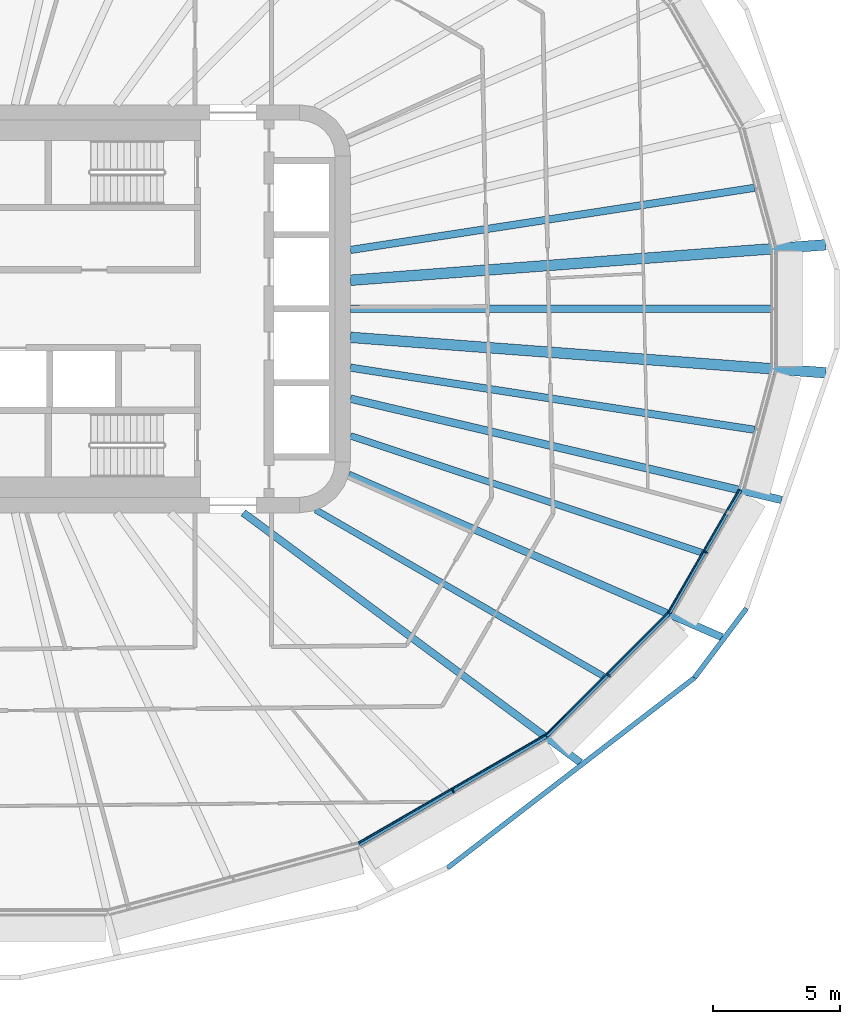
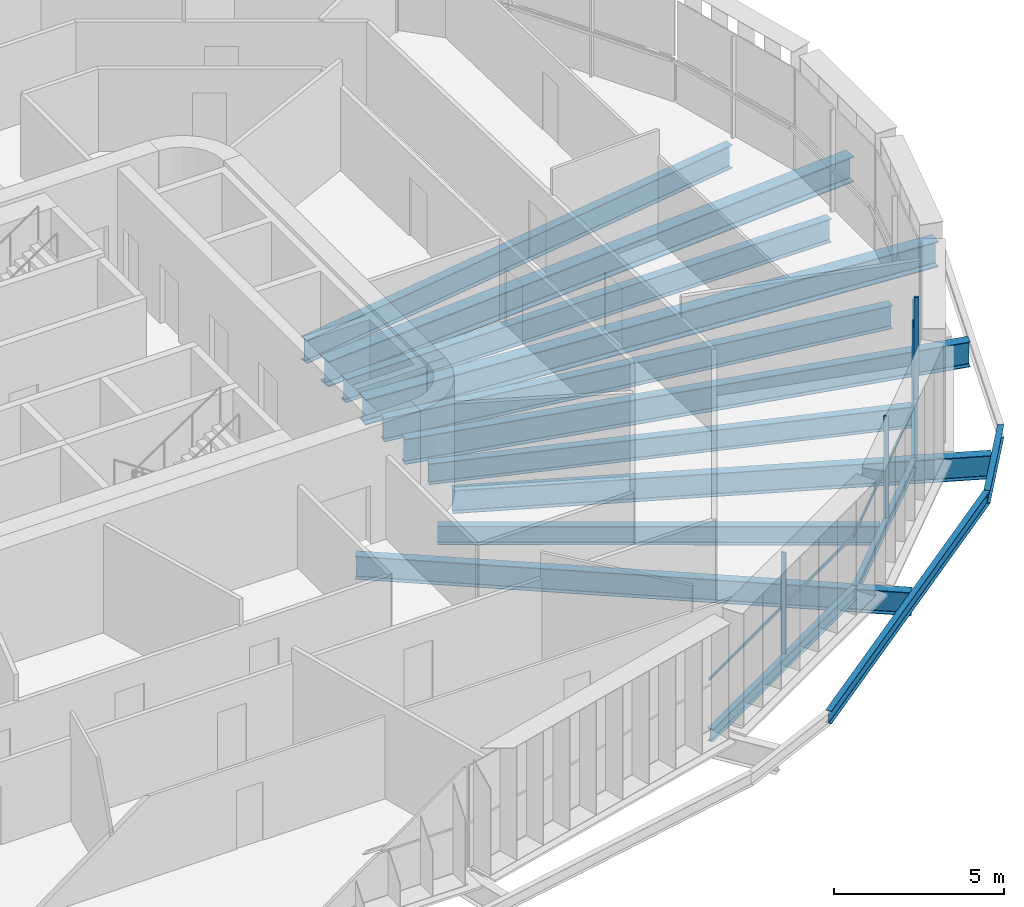
# One storey, part 5 of 26: 15 beams, 6 members, 3 elements without a shape of their own.
"""IFC4 building model written with IfcOpenShell, lengths in metres."""

from ifc_helpers import new_model, si_unit, direction, frame, origin, origin_2d, place, context, subcontext, project, spatial, rectangle, i_section, extrude, material, layer, layer_set, material_profile, profile_set, type_object, element, aggregate, save


model = new_model("IFC4")

# Units and contexts
model_context = context("Model", 3, precision=1e-05, world=origin(), true_north=direction((0.0, 1.0)))
body_context = subcontext(model_context, "Body", "Model", "MODEL_VIEW")
ifc_project = project(units=[si_unit("LENGTHUNIT", "METRE"), si_unit("AREAUNIT", "SQUARE_METRE"), si_unit("VOLUMEUNIT", "CUBIC_METRE"), si_unit("PLANEANGLEUNIT", "RADIAN"), si_unit("MASSUNIT", "GRAM", prefix="KILO")], contexts=[model_context])

# Site, building, storey
site_placement = place(None, origin())
site = spatial("IfcSite", under=ifc_project, at=site_placement, CompositionType="ELEMENT")
building_placement = place(site_placement, origin())
building = spatial("IfcBuilding", under=site, at=building_placement, Name="Sahrelin Media Tower", CompositionType="ELEMENT")
storey_placement = place(building_placement, frame((0.0, 0.0, 84.0)))
storey = spatial("IfcBuildingStorey", under=building, at=storey_placement, Name="L15", CompositionType="ELEMENT", Elevation=84.0)

# Beams
ifc_material_1 = material(Name="Steel S355", Category="steel")
ifc_material_profile_1 = material_profile(ifc_material_1, i_section(OverallWidth=0.1650390625, OverallDepth=0.303466796875, WebThickness=0.006103515625, FlangeThickness=0.01025390625, FilletRadius=0.0087890625, at=origin_2d()), Name="UB 305x165x40")
ifc_profile_set_1 = profile_set([ifc_material_profile_1], Name="Steel S355")
beam_type_1 = type_object("IfcBeamType", Name="Edge beam EB2", PredefinedType="BEAM", material=ifc_profile_set_1)
beam_1_placement = place(storey_placement, frame((30.282958984375, -7.103271484375, -0.3017578125), z_axis=(-0.499998387408, -0.866026334813, 0.0), x_axis=(0.866026334813, -0.499998387408, 0.0)))
element("IfcBeam", 1, at=beam_1_placement, inside=storey, type_object=beam_type_1, Name="Edge beam L15-03", PredefinedType="BEAM", context=body_context, shape_type="SweptSolid", body=[
    extrude(i_section(OverallWidth=0.1650390625, OverallDepth=0.303466796875, WebThickness=0.006103515625, FlangeThickness=0.01025390625, FilletRadius=0.0087890625, at=origin_2d()), origin(), (0.0, 0.0, 1.0), 5.5654296875),
])
ifc_material_profile_2 = material_profile(ifc_material_1, i_section(OverallWidth=0.17138671875, OverallDepth=0.35498046875, WebThickness=0.00732421875, FlangeThickness=0.011474609375, FilletRadius=0.01025390625, at=origin_2d()), Name="UB 356x171x51")
ifc_profile_set_2 = profile_set([ifc_material_profile_2], Name="Steel S355")
beam_type_2 = type_object("IfcBeamType", Name="Edge beam EB3", PredefinedType="BEAM", material=ifc_profile_set_2)
beam_2_placement = place(storey_placement, frame((27.482666015625, -11.946044921875, -0.327392578125), z_axis=(-0.707106781187, -0.707106781187, 0.0), x_axis=(0.707106781187, -0.707106781187, 0.0)))
element("IfcBeam", 2, at=beam_2_placement, inside=storey, type_object=beam_type_2, Name="Edge beam L15-04", PredefinedType="BEAM", context=body_context, shape_type="SweptSolid", body=[
    extrude(i_section(OverallWidth=0.17138671875, OverallDepth=0.35498046875, WebThickness=0.00732421875, FlangeThickness=0.011474609375, FilletRadius=0.01025390625, at=origin_2d()), origin(), (0.0, 0.0, 1.0), 6.7783203125),
])
ifc_material_profile_3 = material_profile(ifc_material_1, i_section(OverallWidth=0.1904296875, OverallDepth=0.45703125, WebThickness=0.009033203125, FlangeThickness=0.014404296875, FilletRadius=0.01025390625, at=origin_2d()), Name="UB 457x191x74")
ifc_profile_set_3 = profile_set([ifc_material_profile_3], Name="Steel S355")
beam_type_3 = type_object("IfcBeamType", Name="Edge beam EB5", PredefinedType="BEAM", material=ifc_profile_set_3)
beam_3_placement = place(storey_placement, frame((22.666748046875, -16.756591796875, -0.37841796875), z_axis=(-0.866025712585, -0.499999465141, 0.0), x_axis=(0.499999465141, -0.866025712585, 0.0)))
element("IfcBeam", 3, at=beam_3_placement, inside=storey, type_object=beam_type_3, Name="Edge beam L15-05", PredefinedType="BEAM", context=body_context, shape_type="SweptSolid", body=[
    extrude(i_section(OverallWidth=0.1904296875, OverallDepth=0.45703125, WebThickness=0.009033203125, FlangeThickness=0.014404296875, FilletRadius=0.01025390625, at=origin_2d()), origin(), (0.0, 0.0, 1.0), 8.46826171875),
])

# Curtain wall, member
ifc_material_2 = material(Name="Champagne anodised aluminium 6063-T6", Category="aluminium")
ifc_layer = layer(ifc_material_2, 0.14990234375)
ifc_layer_set = layer_set([ifc_layer], Name="Tower ribbon curtain wall")
curtain_wall_type = type_object("IfcCurtainWallType", Name="Tower ribbon curtain wall", PredefinedType="NOTDEFINED", material=ifc_layer_set)
curtain_wall_1_placement = place(storey_placement, frame((19.074951171875, -19.003662109375, 0.0), z_axis=(0.0, 0.0, 1.0), x_axis=(1.0, 0.0, 0.0)))
curtain_wall_1 = element("IfcCurtainWall", 4, at=curtain_wall_1_placement, inside=storey, type_object=curtain_wall_type, Name="L15:CW:L15-20", PredefinedType="NOTDEFINED")
ifc_material_profile_4 = material_profile(ifc_material_2, rectangle(XDim=0.06005859375, YDim=0.14990234375, at=origin_2d()), Name="Mullion 60x150")
ifc_profile_set_4 = profile_set([ifc_material_profile_4], Name="Champagne anodised aluminium 6063-T6")
member_type_1 = type_object("IfcMemberType", Name="Mullion 60x150 CW1", PredefinedType="MULLION", material=ifc_profile_set_4)
member_1_placement = place(storey_placement, frame((19.02734375, -18.92138671875, 0.0), z_axis=(0.0, 0.0, 1.0), x_axis=(0.866022785779, 0.500004534492, 0.0)))
member_1 = element("IfcMember", 5, at=member_1_placement, type_object=member_type_1, Name="L15:CWM:L15-20", PredefinedType="MULLION", context=body_context, shape_type="SweptSolid", body=[
    extrude(rectangle(XDim=0.06005859375, YDim=0.14990234375, at=origin_2d()), origin(), (0.0, 0.0, 1.0), 3.648681640625),
])

curtain_wall_2_placement = place(storey_placement, frame((25.192138671875, -14.44873046875, 0.0), z_axis=(0.0, 0.0, 1.0), x_axis=(1.0, 0.0, 0.0)))
curtain_wall_2 = element("IfcCurtainWall", 6, at=curtain_wall_2_placement, inside=storey, type_object=curtain_wall_type, Name="L15:CW:L15-21", PredefinedType="NOTDEFINED")
member_2_placement = place(storey_placement, frame((25.125, -14.381591796875, 0.0), z_axis=(0.0, 0.0, 1.0), x_axis=(0.707114185953, 0.707099376343, 0.0)))
member_2 = element("IfcMember", 7, at=member_2_placement, type_object=member_type_1, Name="L15:CWM:L15-21", PredefinedType="MULLION", context=body_context, shape_type="SweptSolid", body=[
    extrude(rectangle(XDim=0.06005859375, YDim=0.14990234375, at=origin_2d()), origin(), (0.0, 0.0, 1.0), 3.648681640625),
])

curtain_wall_3_placement = place(storey_placement, frame((29.021484375, -9.58837890625, 0.0), z_axis=(0.0, 0.0, 1.0), x_axis=(1.0, 0.0, 0.0)))
curtain_wall_3 = element("IfcCurtainWall", 8, at=curtain_wall_3_placement, inside=storey, type_object=curtain_wall_type, Name="L15:CW:L15-22", PredefinedType="NOTDEFINED")
member_3_placement = place(storey_placement, frame((28.939208984375, -9.540771484375, 0.0), z_axis=(0.0, 0.0, 1.0), x_axis=(0.499990930976, 0.866030639725, 0.0)))
member_3 = element("IfcMember", 9, at=member_3_placement, type_object=member_type_1, Name="L15:CWM:L15-22", PredefinedType="MULLION", context=body_context, shape_type="SweptSolid", body=[
    extrude(rectangle(XDim=0.06005859375, YDim=0.14990234375, at=origin_2d()), origin(), (0.0, 0.0, 1.0), 3.648681640625),
])

# Beams
ifc_material_profile_5 = material_profile(ifc_material_1, i_section(OverallWidth=0.291748046875, OverallDepth=0.8349609375, WebThickness=0.013916015625, FlangeThickness=0.018798828125, FilletRadius=0.017822265625, at=origin_2d()), Name="UB 838x292x176")
ifc_profile_set_5 = profile_set([ifc_material_profile_5], Name="Steel S355")
beam_type_4 = type_object("IfcBeamType", Name="Radial primary beam PB10", PredefinedType="BEAM", material=ifc_profile_set_5)
beam_4_placement = place(storey_placement, frame((10.798828125, -8.0, -0.5673828125), z_axis=(0.803534849175, -0.595257714071, 0.0), x_axis=(0.595257714071, 0.803534849175, 0.0)))
element("IfcBeam", 10, at=beam_4_placement, inside=storey, type_object=beam_type_4, Name="Radial beam L15-21", PredefinedType="BEAM", context=body_context, shape_type="SweptSolid", body=[
    extrude(i_section(OverallWidth=0.291748046875, OverallDepth=0.8349609375, WebThickness=0.013916015625, FlangeThickness=0.018798828125, FilletRadius=0.017822265625, at=origin_2d()), origin(), (0.0, 0.0, 1.0), 16.452880859375),
])
beam_5_placement = place(storey_placement, frame((14.93359375, -6.5048828125, -0.5673828125), z_axis=(0.916802102549, -0.399341839483, 0.0), x_axis=(0.399341839483, 0.916802102549, 0.0)))
element("IfcBeam", 11, at=beam_5_placement, inside=storey, type_object=beam_type_4, Name="Radial beam L15-22", PredefinedType="BEAM", context=body_context, shape_type="SweptSolid", body=[
    extrude(i_section(OverallWidth=0.291748046875, OverallDepth=0.8349609375, WebThickness=0.013916015625, FlangeThickness=0.018798828125, FilletRadius=0.017822265625, at=origin_2d()), origin(), (0.0, 0.0, 1.0), 15.960693359375),
])
ifc_material_profile_6 = material_profile(ifc_material_1, i_section(OverallWidth=0.30322265625, OverallDepth=0.903076171875, WebThickness=0.01513671875, FlangeThickness=0.020263671875, FilletRadius=0.01904296875, at=origin_2d()), Name="UB 914x305x201")
ifc_profile_set_6 = profile_set([ifc_material_profile_6], Name="Steel S355")
beam_type_5 = type_object("IfcBeamType", Name="Radial primary beam PB11", PredefinedType="BEAM", material=ifc_profile_set_6)
beam_6_placement = place(storey_placement, frame((15.0, -3.523681640625, -0.6015625), z_axis=(0.973497473538, -0.22869776784, 0.0), x_axis=(0.22869776784, 0.973497473538, 0.0)))
element("IfcBeam", 12, at=beam_6_placement, inside=storey, type_object=beam_type_5, Name="Radial beam L15-23", PredefinedType="BEAM", context=body_context, shape_type="SweptSolid", body=[
    extrude(i_section(OverallWidth=0.30322265625, OverallDepth=0.903076171875, WebThickness=0.01513671875, FlangeThickness=0.020263671875, FilletRadius=0.01904296875, at=origin_2d()), origin(), (0.0, 0.0, 1.0), 17.370849609375),
])
ifc_material_profile_7 = material_profile(ifc_material_1, i_section(OverallWidth=0.41845703125, OverallDepth=0.911865234375, WebThickness=0.019287109375, FlangeThickness=0.031982421875, FilletRadius=0.024169921875, at=origin_2d()), Name="UB 914x419x343")
ifc_profile_set_7 = profile_set([ifc_material_profile_7], Name="Steel S355")
beam_type_6 = type_object("IfcBeamType", Name="Radial primary beam PB12", PredefinedType="BEAM", material=ifc_profile_set_7)
for number, where, z_axis, x_axis, name in (
    (13, (15.0, 1.119384765625, -0.60595703125), (0.997226558704, 0.074425738924, 0.0), (-0.074425738924, 0.997226558704, 0.0), "Radial beam L15-01"),
    (14, (15.0, -1.119384765625, -0.60595703125), (0.997226558704, -0.074425738924, 0.0), (0.074425738924, 0.997226558704, 0.0), "Radial beam L15-24"),
):
    element("IfcBeam", number, at=place(storey_placement, frame(where, z_axis=z_axis, x_axis=x_axis)), inside=storey, type_object=beam_type_6, Name=name, PredefinedType="BEAM", context=body_context, shape_type="SweptSolid", body=[
        extrude(i_section(OverallWidth=0.41845703125, OverallDepth=0.911865234375, WebThickness=0.019287109375, FlangeThickness=0.031982421875, FilletRadius=0.024169921875, at=origin_2d()), origin(), (0.0, 0.0, 1.0), 18.69775390625),
    ])
ifc_material_profile_8 = material_profile(ifc_material_1, i_section(OverallWidth=0.291748046875, OverallDepth=0.8349609375, WebThickness=0.013916015625, FlangeThickness=0.018798828125, FilletRadius=0.017822265625, at=origin_2d()), Name="UB 838x292x176")
ifc_profile_set_8 = profile_set([ifc_material_profile_8], Name="Steel S355")
beam_type_7 = type_object("IfcBeamType", Name="Radial secondary beam SB10", PredefinedType="BEAM", material=ifc_profile_set_8)
for number, where, z_axis, x_axis, name in (
    (15, (15.0, 2.30712890625, -0.5673828125), (0.988375923041, 0.152029716678, 0.0), (-0.152029716678, 0.988375923041, 0.0), "Secondary beam L15-01"),
    (16, (15.0, -2.30712890625, -0.5673828125), (0.988375923041, -0.152029716678, 0.0), (0.152029716678, 0.988375923041, 0.0), "Secondary beam L15-23"),
):
    element("IfcBeam", number, at=place(storey_placement, frame(where, z_axis=z_axis, x_axis=x_axis)), inside=storey, type_object=beam_type_7, Name=name, PredefinedType="BEAM", context=body_context, shape_type="SweptSolid", body=[
        extrude(i_section(OverallWidth=0.291748046875, OverallDepth=0.8349609375, WebThickness=0.013916015625, FlangeThickness=0.018798828125, FilletRadius=0.017822265625, at=origin_2d()), origin(), (0.0, 0.0, 1.0), 16.02978515625),
    ])
beam_7_placement = place(storey_placement, frame((15.0, 0.0, -0.5673828125), z_axis=(1.0, 0.0, 0.0), x_axis=(0.0, 1.0, 0.0)))
element("IfcBeam", 17, at=beam_7_placement, inside=storey, type_object=beam_type_7, Name="Secondary beam L15-24", PredefinedType="BEAM", context=body_context, shape_type="SweptSolid", body=[
    extrude(i_section(OverallWidth=0.291748046875, OverallDepth=0.8349609375, WebThickness=0.013916015625, FlangeThickness=0.018798828125, FilletRadius=0.017822265625, at=origin_2d()), origin(), (0.0, 0.0, 1.0), 16.48828125),
])
ifc_material_profile_9 = material_profile(ifc_material_1, i_section(OverallWidth=0.2529296875, OverallDepth=0.677978515625, WebThickness=0.01171875, FlangeThickness=0.01611328125, FilletRadius=0.01513671875, at=origin_2d()), Name="UB 686x254x125")
ifc_profile_set_9 = profile_set([ifc_material_profile_9], Name="Steel S355")
beam_type_8 = type_object("IfcBeamType", Name="Radial secondary beam SB8", PredefinedType="BEAM", material=ifc_profile_set_9)
beam_8_placement = place(storey_placement, frame((13.63525390625, -7.88330078125, -0.489013671875), z_axis=(0.865726960109, -0.500516563703, 0.0), x_axis=(0.500516563703, 0.865726960109, 0.0)))
element("IfcBeam", 18, at=beam_8_placement, inside=storey, type_object=beam_type_8, Name="Secondary beam L15-21", PredefinedType="BEAM", context=body_context, shape_type="SweptSolid", body=[
    extrude(i_section(OverallWidth=0.2529296875, OverallDepth=0.677978515625, WebThickness=0.01171875, FlangeThickness=0.01611328125, FilletRadius=0.01513671875, at=origin_2d()), origin(), (0.0, 0.0, 1.0), 13.020263671875),
])
ifc_material_profile_10 = material_profile(ifc_material_1, i_section(OverallWidth=0.26513671875, OverallDepth=0.75390625, WebThickness=0.0126953125, FlangeThickness=0.017578125, FilletRadius=0.0166015625, at=origin_2d()), Name="UB 762x267x147")
ifc_profile_set_10 = profile_set([ifc_material_profile_10], Name="Steel S355")
beam_type_9 = type_object("IfcBeamType", Name="Radial secondary beam SB9", PredefinedType="BEAM", material=ifc_profile_set_10)
beam_9_placement = place(storey_placement, frame((15.0, -4.983642578125, -0.527099609375), z_axis=(0.948994110949, -0.315293795346, 0.0), x_axis=(0.315293795346, 0.948994110949, 0.0)))
element("IfcBeam", 19, at=beam_9_placement, inside=storey, type_object=beam_type_9, Name="Secondary beam L15-22", PredefinedType="BEAM", context=body_context, shape_type="SweptSolid", body=[
    extrude(i_section(OverallWidth=0.26513671875, OverallDepth=0.75390625, WebThickness=0.0126953125, FlangeThickness=0.017578125, FilletRadius=0.0166015625, at=origin_2d()), origin(), (0.0, 0.0, 1.0), 14.510009765625),
])
ifc_material_profile_11 = material_profile(ifc_material_1, i_section(OverallWidth=0.1904296875, OverallDepth=0.45703125, WebThickness=0.009033203125, FlangeThickness=0.014404296875, FilletRadius=0.01025390625, at=origin_2d()), Name="UB 457x191x74")
ifc_profile_set_11 = profile_set([ifc_material_profile_11], Name="Steel S355")
beam_type_10 = type_object("IfcBeamType", Name="Tie chord TC5", PredefinedType="BEAM", material=ifc_profile_set_11)
beam_10_placement = place(storey_placement, frame((18.803955078125, -21.927978515625, -0.37841796875), z_axis=(0.792442022212, 0.609947244795, 0.0), x_axis=(-0.609947244795, 0.792442022212, 0.0)))
element("IfcBeam", 20, at=beam_10_placement, inside=storey, type_object=beam_type_10, Name="Tie chord L15-21", PredefinedType="BEAM", context=body_context, shape_type="SweptSolid", body=[
    extrude(i_section(OverallWidth=0.1904296875, OverallDepth=0.45703125, WebThickness=0.009033203125, FlangeThickness=0.014404296875, FilletRadius=0.01025390625, at=origin_2d()), origin(), (0.0, 0.0, 1.0), 12.22216796875),
])
beam_11_placement = place(storey_placement, frame((28.4892578125, -14.47314453125, -0.37841796875), z_axis=(0.600080429002, 0.799939671931, 0.0), x_axis=(-0.799939671931, 0.600080429002, 0.0)))
element("IfcBeam", 21, at=beam_11_placement, inside=storey, type_object=beam_type_10, Name="Tie chord L15-22", PredefinedType="BEAM", context=body_context, shape_type="SweptSolid", body=[
    extrude(i_section(OverallWidth=0.1904296875, OverallDepth=0.45703125, WebThickness=0.009033203125, FlangeThickness=0.014404296875, FilletRadius=0.01025390625, at=origin_2d()), origin(), (0.0, 0.0, 1.0), 3.399658203125),
])

# Member
ifc_material_profile_12 = material_profile(ifc_material_2, rectangle(XDim=0.050048828125, YDim=0.10009765625, at=origin_2d()), Name="Transom 50x100")
ifc_profile_set_12 = profile_set([ifc_material_profile_12], Name="Champagne anodised aluminium 6063-T6")
member_type_2 = type_object("IfcMemberType", Name="Transom 50x100 CW1", PredefinedType="USERDEFINED", material=ifc_profile_set_12)
member_4_placement = place(storey_placement, frame((15.32421875, -20.94384765625, 1.60009765625), z_axis=(0.866029933621, 0.499992154011, 0.0), x_axis=(-0.499992154011, 0.866029933621, 0.0)))
member_4 = element("IfcMember", 22, at=member_4_placement, type_object=member_type_2, Name="L15:CWT:L15-20", ObjectType="TRANSOM", PredefinedType="USERDEFINED", context=body_context, shape_type="SweptSolid", body=[
    extrude(rectangle(XDim=0.050048828125, YDim=0.10009765625, at=origin_2d()), origin(), (0.0, 0.0, 1.0), 8.436767578125),
])

aggregate(curtain_wall_1, [member_1, member_4])

member_5_placement = place(storey_placement, frame((22.6689453125, -16.6962890625, 1.60009765625), z_axis=(0.707088688516, 0.707124873394, 0.0), x_axis=(-0.707124873394, 0.707088688516, 0.0)))
member_5 = element("IfcMember", 23, at=member_5_placement, type_object=member_type_2, Name="L15:CWT:L15-21", ObjectType="TRANSOM", PredefinedType="USERDEFINED", context=body_context, shape_type="SweptSolid", body=[
    extrude(rectangle(XDim=0.050048828125, YDim=0.10009765625, at=origin_2d()), origin(), (0.0, 0.0, 1.0), 6.7470703125),
])

aggregate(curtain_wall_2, [member_2, member_5])

member_6_placement = place(storey_placement, frame((27.468994140625, -11.88720703125, 1.60009765625), z_axis=(0.500001219746, 0.866024699562, 0.0), x_axis=(-0.866024699562, 0.500001219746, 0.0)))
member_6 = element("IfcMember", 24, at=member_6_placement, type_object=member_type_2, Name="L15:CWT:L15-22", ObjectType="TRANSOM", PredefinedType="USERDEFINED", context=body_context, shape_type="SweptSolid", body=[
    extrude(rectangle(XDim=0.050048828125, YDim=0.10009765625, at=origin_2d()), origin(), (0.0, 0.0, 1.0), 5.5341796875),
])

aggregate(curtain_wall_3, [member_3, member_6])

save(model, "model.ifc")
